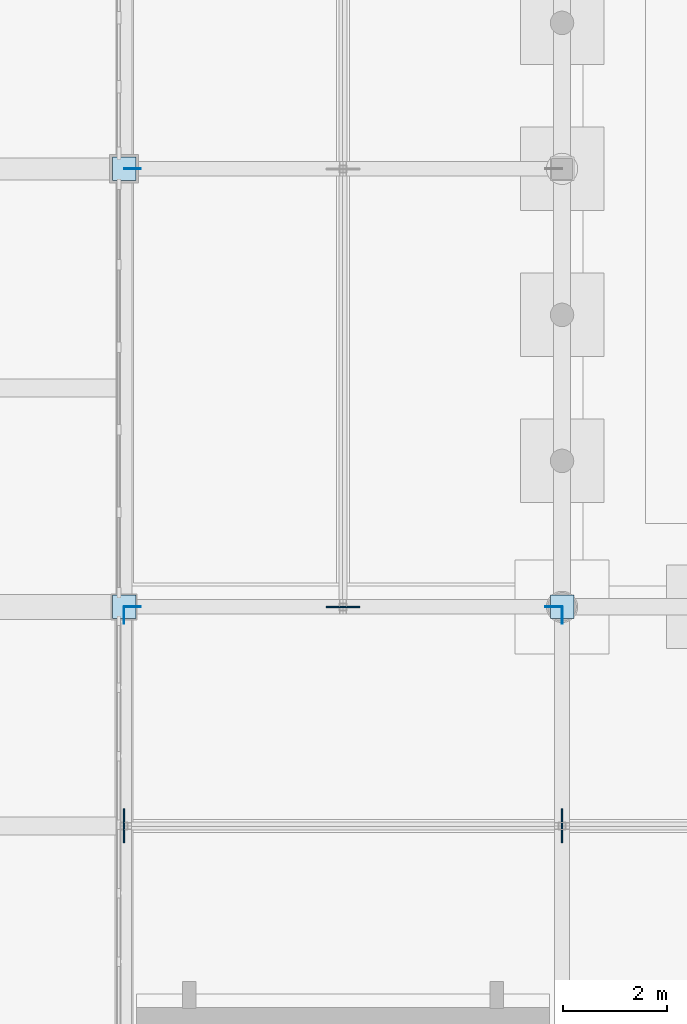
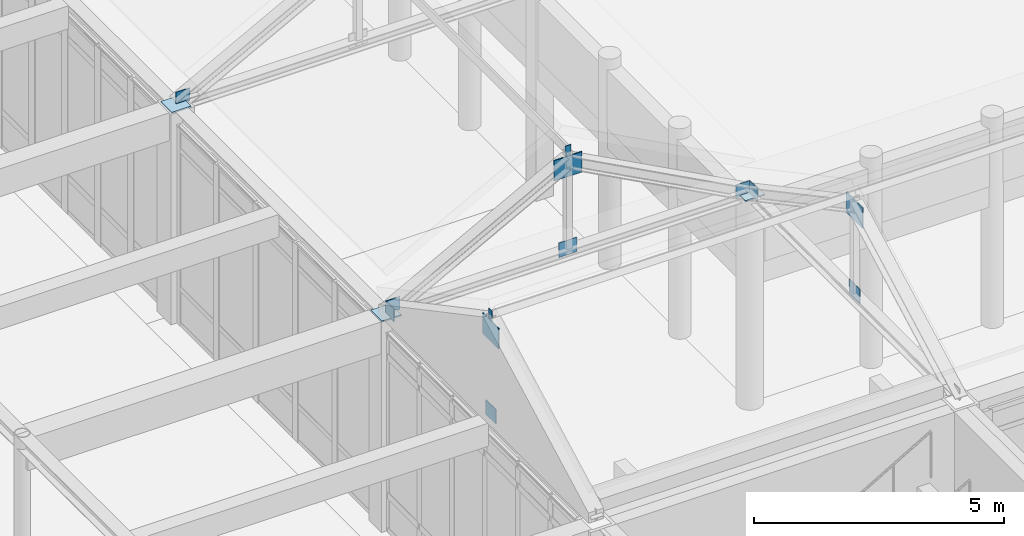
# One storey, part 91 of 143: 16 plates.
"""IFC4 building model written with IfcOpenShell, lengths in metres."""

from ifc_helpers import new_model, si_unit, direction, frame, origin, origin_2d, place, context, subcontext, project, spatial, rectangle, extrude, material, layer, layer_set, type_object, element, save


model = new_model("IFC4")

# Units and contexts
model_context = context("Model", 3, precision=1e-05, world=origin(), true_north=direction((0.0, 1.0)))
body_context = subcontext(model_context, "Body", "Model", "MODEL_VIEW")
ifc_project = project(units=[si_unit("LENGTHUNIT", "METRE"), si_unit("AREAUNIT", "SQUARE_METRE"), si_unit("VOLUMEUNIT", "CUBIC_METRE"), si_unit("PLANEANGLEUNIT", "RADIAN"), si_unit("MASSUNIT", "GRAM", prefix="KILO")], contexts=[model_context])

# Site, building, storey
site_placement = place(None, origin())
site = spatial("IfcSite", under=ifc_project, at=site_placement, CompositionType="ELEMENT")
building_placement = place(site_placement, origin())
building = spatial("IfcBuilding", under=site, at=building_placement, Name="Kveldsbrygga Polytechnic", CompositionType="ELEMENT")
storey_placement = place(building_placement, origin())
storey = spatial("IfcBuildingStorey", under=building, at=storey_placement, Name="L00", CompositionType="ELEMENT", Elevation=0.0)

# Plates
ifc_material = material(Name="Steel S355", Category="steel")
ifc_layer_1 = layer(ifc_material, 0.030029296875)
ifc_layer_set_1 = layer_set([ifc_layer_1], Name="Steel S355")
plate_type_1 = type_object("IfcPlateType", Name="CAP-BEAR-450", PredefinedType="SHEET", material=ifc_layer_set_1)
for number, where, z_axis, x_axis, name in (
    (1, (75.60009765625, 33.60009765625, 5.10986328125), (0.0, 0.0, 1.0), (1.0, 0.0, 0.0), "Truss Bearing Plate ARC-ES-T01-B"),
    (2, (84.0, 33.60009765625, 5.10986328125), (0.0, 0.0, 1.0), (1.0, 0.0, 0.0), "Truss Bearing Plate ARC-ES-T02-B"),
    (3, (75.60009765625, 42.0, 5.10986328125), (0.0, 0.0, 1.0), (1.0, 0.0, 0.0), "Truss Bearing Plate ARC-EW-T02-A"),
):
    element("IfcPlate", number, at=place(storey_placement, frame(where, z_axis=z_axis, x_axis=x_axis)), inside=storey, type_object=plate_type_1, Name=name, PredefinedType="SHEET", context=body_context, shape_type="SweptSolid", body=[
        extrude(rectangle(XDim=0.449951171875, YDim=0.449951171875, at=origin_2d()), origin(), (0.0, 0.0, 1.0), 0.030029296875),
    ])
ifc_layer_2 = layer(ifc_material, 0.011962890625)
ifc_layer_set_2 = layer_set([ifc_layer_2], Name="Steel S355")
plate_type_2 = type_object("IfcPlateType", Name="CAP-PRL-200", PredefinedType="SHEET", material=ifc_layer_set_2)
plate_1_placement = place(storey_placement, frame((75.593994140625, 29.39990234375, 7.513671875), z_axis=(0.0, 0.0, 1.0), x_axis=(1.0, 0.0, 0.0)))
element("IfcPlate", 4, at=plate_1_placement, inside=storey, type_object=plate_type_2, Name="Purlin End Cap Plate ARC-ES-EP-A-1", PredefinedType="SHEET", context=body_context, shape_type="SweptSolid", body=[
    extrude(rectangle(XDim=0.011962890625, YDim=0.139892578125, at=origin_2d()), origin(), (0.0, 0.0, 1.0), 0.239990234375),
])
plate_2_placement = place(storey_placement, frame((79.800048828125, 33.593994140625, 7.513671875), z_axis=(0.0, 0.0, 1.0), x_axis=(1.0, 0.0, 0.0)))
element("IfcPlate", 5, at=plate_2_placement, inside=storey, type_object=plate_type_2, Name="Purlin End Cap Plate ARC-EW-EP-A-1", PredefinedType="SHEET", context=body_context, shape_type="SweptSolid", body=[
    extrude(rectangle(XDim=0.139892578125, YDim=0.011962890625, at=origin_2d()), origin(), (0.0, 0.0, 1.0), 0.239990234375),
])
ifc_layer_3 = layer(ifc_material, 0.02490234375)
ifc_layer_set_3 = layer_set([ifc_layer_3], Name="Steel S355")
plate_type_3 = type_object("IfcPlateType", Name="GUS-APEX-650", PredefinedType="SHEET", material=ifc_layer_set_3)
for number, where, z_axis, x_axis, name in (
    (6, (75.60009765625, 29.39990234375, 6.989990234375), (0.0, 0.0, 1.0), (1.0, 0.0, 0.0), "Truss Gusset Plate ARC-ES-T01-GP-1"),
    (7, (84.0, 29.39990234375, 6.989990234375), (0.0, 0.0, 1.0), (1.0, 0.0, 0.0), "Truss Gusset Plate ARC-ES-T02-GP-1"),
):
    element("IfcPlate", number, at=place(storey_placement, frame(where, z_axis=z_axis, x_axis=x_axis)), inside=storey, type_object=plate_type_3, Name=name, PredefinedType="SHEET", context=body_context, shape_type="SweptSolid", body=[
        extrude(rectangle(XDim=0.02490234375, YDim=0.64990234375, at=origin_2d()), origin(), (0.0, 0.0, 1.0), 0.5),
    ])
plate_3_placement = place(storey_placement, frame((79.800048828125, 33.60009765625, 6.989990234375), z_axis=(0.0, 0.0, 1.0), x_axis=(1.0, 0.0, 0.0)))
element("IfcPlate", 8, at=plate_3_placement, inside=storey, type_object=plate_type_3, Name="Truss Gusset Plate ARC-EW-T01-GP-1", PredefinedType="SHEET", context=body_context, shape_type="SweptSolid", body=[
    extrude(rectangle(XDim=0.64990234375, YDim=0.02490234375, at=origin_2d()), origin(), (0.0, 0.0, 1.0), 0.5),
])
ifc_layer_4 = layer(ifc_material, 0.01806640625)
ifc_layer_set_4 = layer_set([ifc_layer_4], Name="Steel S355")
plate_type_4 = type_object("IfcPlateType", Name="GUS-BRACE-320", PredefinedType="SHEET", material=ifc_layer_set_4)
for number, where, z_axis, x_axis, name in (
    (9, (75.60009765625, 33.43994140625, 5.10009765625), (0.0, 0.0, 1.0), (1.0, 0.0, 0.0), "Truss Eaves Node Gusset ARC-ES-T01-EGP-B"),
    (10, (84.0, 33.43994140625, 5.10009765625), (0.0, 0.0, 1.0), (1.0, 0.0, 0.0), "Truss Eaves Node Gusset ARC-ES-T02-EGP-B"),
):
    element("IfcPlate", number, at=place(storey_placement, frame(where, z_axis=z_axis, x_axis=x_axis)), inside=storey, type_object=plate_type_4, Name=name, PredefinedType="SHEET", context=body_context, shape_type="SweptSolid", body=[
        extrude(rectangle(XDim=0.01806640625, YDim=0.320068359375, at=origin_2d()), origin(), (0.0, 0.0, 1.0), 0.320068359375),
    ])
for number, where, z_axis, x_axis, name in (
    (11, (75.760009765625, 33.60009765625, 5.10009765625), (0.0, 0.0, 1.0), (1.0, 0.0, 0.0), "Truss Eaves Node Gusset ARC-EW-T01-EGP-A"),
    (12, (83.840087890625, 33.60009765625, 5.10009765625), (0.0, 0.0, 1.0), (1.0, 0.0, 0.0), "Truss Eaves Node Gusset ARC-EW-T01-EGP-B"),
    (13, (75.760009765625, 42.0, 5.10009765625), (0.0, 0.0, 1.0), (1.0, 0.0, 0.0), "Truss Eaves Node Gusset ARC-EW-T02-EGP-A"),
):
    element("IfcPlate", number, at=place(storey_placement, frame(where, z_axis=z_axis, x_axis=x_axis)), inside=storey, type_object=plate_type_4, Name=name, PredefinedType="SHEET", context=body_context, shape_type="SweptSolid", body=[
        extrude(rectangle(XDim=0.320068359375, YDim=0.01806640625, at=origin_2d()), origin(), (0.0, 0.0, 1.0), 0.320068359375),
    ])
ifc_layer_5 = layer(ifc_material, 0.02001953125)
ifc_layer_set_5 = layer_set([ifc_layer_5], Name="Steel S355")
plate_type_5 = type_object("IfcPlateType", Name="GUS-LECT-420", PredefinedType="SHEET", material=ifc_layer_set_5)
for number, where, z_axis, x_axis, name in (
    (14, (75.60009765625, 29.39990234375, 5.0849609375), (0.0, 0.0, 1.0), (1.0, 0.0, 0.0), "Truss Bottom-Chord Node Gusset ARC-ES-T01-BGP-1"),
    (15, (84.0, 29.39990234375, 5.0849609375), (0.0, 0.0, 1.0), (1.0, 0.0, 0.0), "Truss Bottom-Chord Node Gusset ARC-ES-T02-BGP-1"),
):
    element("IfcPlate", number, at=place(storey_placement, frame(where, z_axis=z_axis, x_axis=x_axis)), inside=storey, type_object=plate_type_5, Name=name, PredefinedType="SHEET", context=body_context, shape_type="SweptSolid", body=[
        extrude(rectangle(XDim=0.02001953125, YDim=0.419921875, at=origin_2d()), origin(), (0.0, 0.0, 1.0), 0.35009765625),
    ])
plate_4_placement = place(storey_placement, frame((79.800048828125, 33.60009765625, 5.0849609375), z_axis=(0.0, 0.0, 1.0), x_axis=(1.0, 0.0, 0.0)))
element("IfcPlate", 16, at=plate_4_placement, inside=storey, type_object=plate_type_5, Name="Truss Bottom-Chord Node Gusset ARC-EW-T01-BGP-1", PredefinedType="SHEET", context=body_context, shape_type="SweptSolid", body=[
    extrude(rectangle(XDim=0.419921875, YDim=0.02001953125, at=origin_2d()), origin(), (0.0, 0.0, 1.0), 0.35009765625),
])

save(model, "model.ifc")
